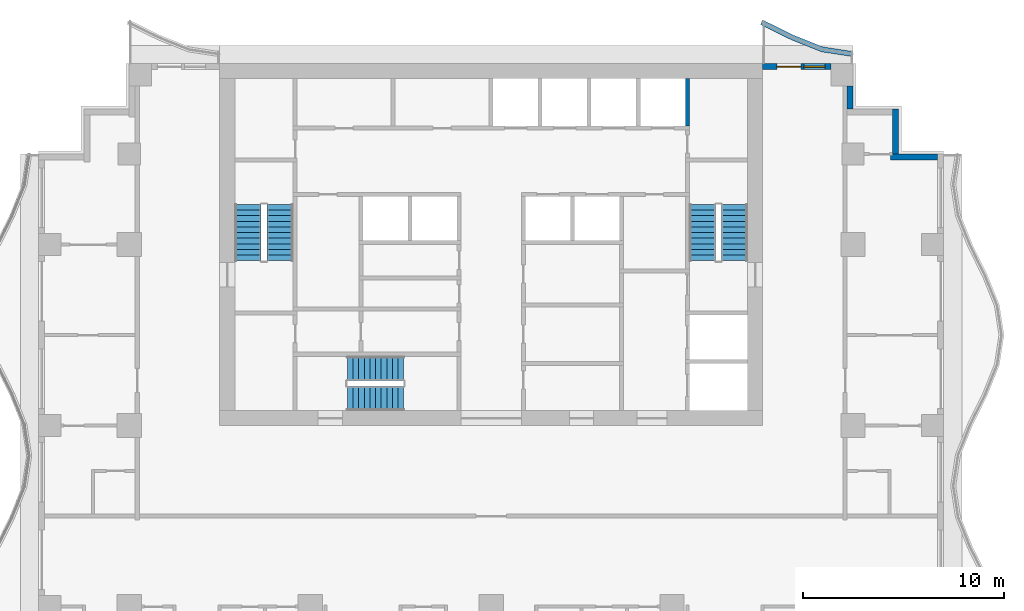
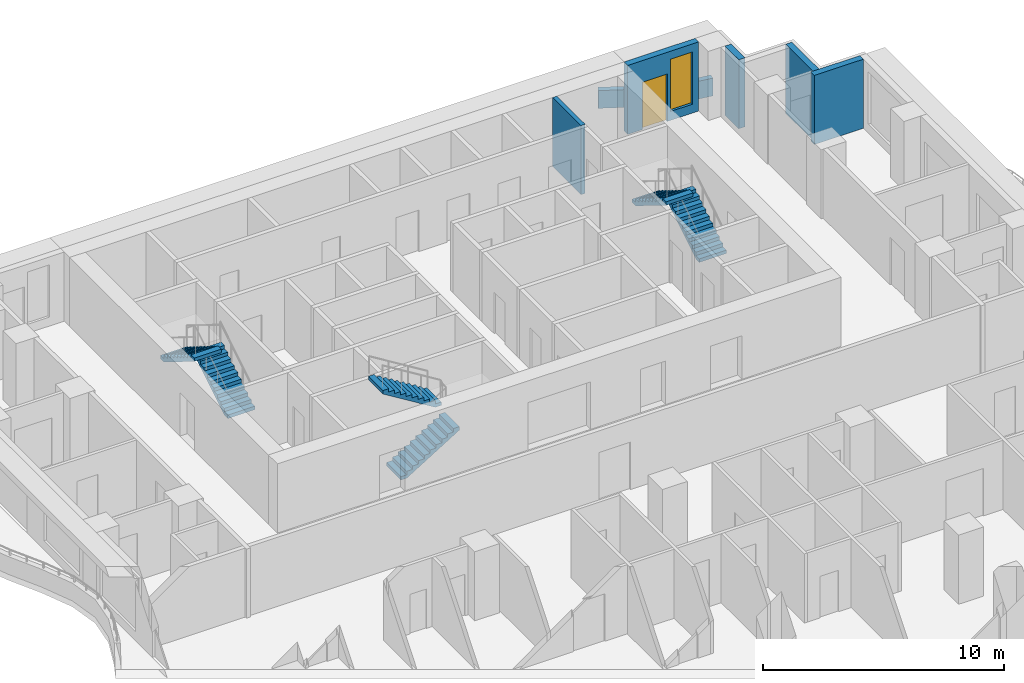
# One storey, part 6 of 10: 6 stair flights, 6 walls, 1 door, 1 window, 2 openings, 3 elements without a shape of their own.
"""IFC4 building model written with IfcOpenShell, lengths in metres."""

from ifc_helpers import new_model, si_unit, direction, frame, frame_2d, origin, place, context, subcontext, project, spatial, polyline, rectangle, outline, extrude, material, layer, layer_set, type_object, element, fill, aggregate, save


model = new_model("IFC4")

# Units and contexts
model_context = context("Model", 3, precision=1e-05, world=origin(), true_north=direction((0.0, 1.0)))
body_context = subcontext(model_context, "Body", "Model", "MODEL_VIEW")
ifc_project = project(units=[si_unit("LENGTHUNIT", "METRE"), si_unit("AREAUNIT", "SQUARE_METRE"), si_unit("VOLUMEUNIT", "CUBIC_METRE"), si_unit("PLANEANGLEUNIT", "RADIAN"), si_unit("MASSUNIT", "GRAM", prefix="KILO")], contexts=[model_context])

# Site, building, storey
site_placement = place(None, origin())
site = spatial("IfcSite", under=ifc_project, at=site_placement, CompositionType="ELEMENT")
building_placement = place(site_placement, origin())
building = spatial("IfcBuilding", under=site, at=building_placement, Name="Orbiselva Terraces", CompositionType="ELEMENT")
storey_placement = place(building_placement, frame((0.0, 0.0, 166.8)))
storey = spatial("IfcBuildingStorey", under=building, at=storey_placement, Name="L42", CompositionType="ELEMENT", Elevation=166.8)

# Walls
ifc_material_1 = material(Name="Concrete C40/50", Category="concrete")
ifc_layer_1 = layer(ifc_material_1, 0.2)
ifc_layer_set_1 = layer_set([ifc_layer_1], Name="Concrete C40/50")
wall_type_1 = type_object("IfcWallType", Name="CORE-WALL-SHAFT-200", PredefinedType="PARTITIONING", material=ifc_layer_set_1)
wall_1_placement = place(storey_placement, frame((9.75, 19.4, 0.0), z_axis=(0.0, 0.0, 1.0), x_axis=(0.0, 1.0, 0.0)))
element("IfcWall", 1, at=wall_1_placement, inside=storey, type_object=wall_type_1, Name="L42 core wall 54", PredefinedType="PARTITIONING", context=body_context, shape_type="SweptSolid", body=[
    extrude(rectangle(XDim=2.35, YDim=0.2, at=frame_2d((1.175, 0.0))), origin(), (0.0, 0.0, 1.0), 3.5),
])
ifc_layer_2 = layer(ifc_material_1, 0.25)
ifc_layer_set_2 = layer_set([ifc_layer_2], Name="Concrete C40/50")
wall_type_2 = type_object("IfcWallType", Name="ENV-PLANTER-250x900", PredefinedType="USERDEFINED", material=ifc_layer_set_2)
wall_2_placement = place(storey_placement, origin())
element("IfcWall", 2, at=wall_2_placement, inside=storey, type_object=wall_type_2, Name="Balcony planter L42 NE", ObjectType="PLANTER", PredefinedType="USERDEFINED", context=body_context, shape_type="SweptSolid", body=[
    extrude(outline(polyline([(18.0, 23.1), (16.5, 23.32918), (15.0, 23.92918), (13.5, 24.67082), (13.389197, 24.446716), (14.898017, 23.700715), (16.433834, 23.086388), (17.962242, 22.852868), (18.0, 23.1)])), origin(), (0.0, 0.0, 1.0), 0.9),
])
ifc_material_2 = material(Name="Terracotta cladding on masonry backing", Category="masonry")
ifc_layer_3 = layer(ifc_material_2, 0.3)
ifc_layer_set_3 = layer_set([ifc_layer_3], Name="Terracotta cladding on masonry backing")
wall_type_3 = type_object("IfcWallType", Name="ENV-WALL-TERRACOTTA-300", PredefinedType="SOLIDWALL", material=ifc_layer_set_3)
wall_3_placement = place(storey_placement, frame((19.85, 17.85, 0.0), z_axis=(0.0, 0.0, 1.0), x_axis=(1.0, 0.0, 0.0)))
element("IfcWall", 3, at=wall_3_placement, inside=storey, type_object=wall_type_3, Name="Facade wall L42 STEP", PredefinedType="SOLIDWALL", context=body_context, shape_type="SweptSolid", body=[
    extrude(rectangle(XDim=2.35, YDim=0.3, at=frame_2d((1.175, 0.0))), origin(), (0.0, 0.0, 1.0), 3.5),
])
wall_4_placement = place(storey_placement, frame((20.1, 20.25, 0.0), z_axis=(0.0, 0.0, 1.0), x_axis=(0.0, -1.0, 0.0)))
element("IfcWall", 4, at=wall_4_placement, inside=storey, type_object=wall_type_3, Name="Facade wall L42 STEP", PredefinedType="SOLIDWALL", context=body_context, shape_type="SweptSolid", body=[
    extrude(rectangle(XDim=2.25, YDim=0.3, at=frame_2d((1.125, 0.0))), origin(), (0.0, 0.0, 1.0), 3.5),
])
wall_5_placement = place(storey_placement, frame((17.85, 21.4, 0.0), z_axis=(0.0, 0.0, 1.0), x_axis=(0.0, -1.0, 0.0)))
element("IfcWall", 5, at=wall_5_placement, inside=storey, type_object=wall_type_3, Name="Facade wall L42 STEP", PredefinedType="SOLIDWALL", context=body_context, shape_type="SweptSolid", body=[
    extrude(rectangle(XDim=1.15, YDim=0.3, at=frame_2d((0.575, 0.0))), origin(), (0.0, 0.0, 1.0), 3.5),
])

# Wall, openings, door, window
wall_6_placement = place(storey_placement, frame((13.5, 22.35, 0.0), z_axis=(0.0, 0.0, 1.0), x_axis=(1.0, 0.0, 0.0)))
wall_6 = element("IfcWall", 6, at=wall_6_placement, inside=storey, type_object=wall_type_3, Name="Facade wall L42 NE", PredefinedType="SOLIDWALL", context=body_context, shape_type="SweptSolid", body=[
    extrude(rectangle(XDim=3.4, YDim=0.3, at=frame_2d((1.7, 0.0))), origin(), (0.0, 0.0, 1.0), 3.5),
])
opening_1_placement = place(wall_6_placement, frame((2.05, 0.0, 0.45)))
opening_1 = element("IfcOpeningElement", 7, at=opening_1_placement, cuts=wall_6, Name="Opening WN13", PredefinedType="OPENING", context=body_context, shape_type="SweptSolid", body=[
    extrude(rectangle(XDim=1.05, YDim=2.65, at=frame_2d((0.525, 1.325))), frame((0.0, 0.16, 0.0), z_axis=(0.0, -1.0, 0.0), x_axis=(1.0, 0.0, 0.0)), (0.0, 0.0, 1.0), 0.32),
])
opening_2_placement = place(wall_6_placement, frame((0.7, 0.0, 0.0)))
opening_2 = element("IfcOpeningElement", 8, at=opening_2_placement, cuts=wall_6, Name="Opening Z3-E-E07", PredefinedType="OPENING", context=body_context, shape_type="SweptSolid", body=[
    extrude(rectangle(XDim=1.2, YDim=2.4, at=frame_2d((0.6, 1.2))), frame((0.0, 0.16, 0.0), z_axis=(0.0, -1.0, 0.0), x_axis=(1.0, 0.0, 0.0)), (0.0, 0.0, 1.0), 0.32),
])
ifc_material_3 = material(Name="Clear low-e glazing in aluminium frame", Category="aluminium")
door_type = type_object("IfcDoorType", Name="BALCONY DOOR 1200 X 2400", OperationType="DOUBLE_DOOR_SLIDING", PredefinedType="DOOR", material=ifc_material_3)
door_placement = place(opening_2_placement, origin())
door = element("IfcDoor", 9, at=door_placement, inside=storey, type_object=door_type, Name="Z3-E-E07", OperationType="SINGLE_SWING_LEFT", OverallHeight=2.4, OverallWidth=1.2, PredefinedType="DOOR", context=body_context, shape_type="SweptSolid", body=[
    extrude(rectangle(XDim=1.2, YDim=2.4, at=frame_2d((0.6, 1.2))), frame((0.0, 0.025, 0.0), z_axis=(0.0, -1.0, 0.0), x_axis=(1.0, 0.0, 0.0)), (0.0, 0.0, 1.0), 0.05),
])
fill(opening_2, door)
window_type = type_object("IfcWindowType", Name="WINDOW 1050 X 2650 S450", PartitioningType="TRIPLE_PANEL_VERTICAL", PredefinedType="WINDOW", material=ifc_material_3)
window_placement = place(opening_1_placement, origin())
window = element("IfcWindow", 10, at=window_placement, inside=storey, type_object=window_type, Name="Window L42 NE", OverallHeight=2.65, OverallWidth=1.05, PartitioningType="SINGLE_PANEL", PredefinedType="WINDOW", context=body_context, shape_type="SweptSolid", body=[
    extrude(rectangle(XDim=1.05, YDim=2.65, at=frame_2d((0.525, 1.325))), frame((0.0, 0.03, 0.0), z_axis=(0.0, -1.0, 0.0), x_axis=(1.0, 0.0, 0.0)), (0.0, 0.0, 1.0), 0.06),
])
fill(opening_1, window)

# Stair, stair flights
stair_type_1 = type_object("IfcStairType", Name="CORE-STAIR-1200", PredefinedType="HALF_TURN_STAIR", material=ifc_material_1)
stair_1_placement = place(storey_placement, origin())
stair_1 = element("IfcStair", 11, at=stair_1_placement, inside=storey, type_object=stair_type_1, Name="L42 Exit Stair S3", PredefinedType="HALF_TURN_STAIR")
stair_flight_type_1 = type_object("IfcStairFlightType", Name="CORE-STAIR-FLIGHT-1200", PredefinedType="STRAIGHT", material=ifc_material_1)
stair_flight_1_placement = place(storey_placement, frame((-7.15, 5.85, 0.0), z_axis=(0.0, 0.0, 1.0), x_axis=(1.0, 0.0, 0.0)))
stair_flight_1 = element("IfcStairFlight", 12, at=stair_flight_1_placement, type_object=stair_flight_type_1, Name="S3 flight 1", NumberOfRisers=11, NumberOfTreads=10, PredefinedType="STRAIGHT", RiserHeight=0.172727273, TreadLength=0.28, context=body_context, shape_type="SweptSolid", body=[
    extrude(outline(polyline([(0.0, 0.0), (0.0, 0.172727), (0.28, 0.172727), (0.28, 0.345455), (0.56, 0.345455), (0.56, 0.518182), (0.84, 0.518182), (0.84, 0.690909), (1.12, 0.690909), (1.12, 0.863636), (1.4, 0.863636), (1.4, 1.036364), (1.68, 1.036364), (1.68, 1.209091), (1.96, 1.209091), (1.96, 1.381818), (2.24, 1.381818), (2.24, 1.554545), (2.52, 1.554545), (2.52, 1.727273), (2.8, 1.727273), (2.8, 1.9), (2.8, 1.551028), (0.285702, 0.0), (0.0, 0.0)])), frame((0.0, 0.6, 0.0), z_axis=(0.0, -1.0, 0.0), x_axis=(1.0, 0.0, 0.0)), (0.0, 0.0, 1.0), 1.2),
])
stair_flight_2_placement = place(storey_placement, frame((-4.35, 7.35, 1.9), z_axis=(0.0, 0.0, 1.0), x_axis=(-1.0, 0.0, 0.0)))
stair_flight_2 = element("IfcStairFlight", 13, at=stair_flight_2_placement, type_object=stair_flight_type_1, Name="S3 flight 2", NumberOfRisers=11, NumberOfTreads=10, PredefinedType="STRAIGHT", RiserHeight=0.172727273, TreadLength=0.28, context=body_context, shape_type="SweptSolid", body=[
    extrude(outline(polyline([(0.0, 0.0), (0.0, 0.172727), (0.28, 0.172727), (0.28, 0.345455), (0.56, 0.345455), (0.56, 0.518182), (0.84, 0.518182), (0.84, 0.690909), (1.12, 0.690909), (1.12, 0.863636), (1.4, 0.863636), (1.4, 1.036364), (1.68, 1.036364), (1.68, 1.209091), (1.96, 1.209091), (1.96, 1.381818), (2.24, 1.381818), (2.24, 1.554545), (2.52, 1.554545), (2.52, 1.727273), (2.8, 1.727273), (2.8, 1.9), (2.8, 1.551028), (0.285702, 0.0), (0.0, 0.0)])), frame((0.0, 0.6, 0.0), z_axis=(0.0, -1.0, 0.0), x_axis=(1.0, 0.0, 0.0)), (0.0, 0.0, 1.0), 1.2),
])
aggregate(stair_1, [stair_flight_1, stair_flight_2])

stair_type_2 = type_object("IfcStairType", Name="CORE-STAIR-1300", PredefinedType="HALF_TURN_STAIR", material=ifc_material_1)
stair_2_placement = place(storey_placement, origin())
stair_2 = element("IfcStair", 14, at=stair_2_placement, inside=storey, type_object=stair_type_2, Name="L42 Exit Stair S1", PredefinedType="HALF_TURN_STAIR")
stair_flight_type_2 = type_object("IfcStairFlightType", Name="CORE-STAIR-FLIGHT-1300", PredefinedType="STRAIGHT", material=ifc_material_1)
stair_flight_3_placement = place(storey_placement, frame((-10.5, 12.7, 0.0), z_axis=(0.0, 0.0, 1.0), x_axis=(0.0, 1.0, 0.0)))
stair_flight_3 = element("IfcStairFlight", 15, at=stair_flight_3_placement, type_object=stair_flight_type_2, Name="S1 flight 1", NumberOfRisers=11, NumberOfTreads=10, PredefinedType="STRAIGHT", RiserHeight=0.172727273, TreadLength=0.28, context=body_context, shape_type="SweptSolid", body=[
    extrude(outline(polyline([(0.0, 0.0), (0.0, 0.172727), (0.28, 0.172727), (0.28, 0.345455), (0.56, 0.345455), (0.56, 0.518182), (0.84, 0.518182), (0.84, 0.690909), (1.12, 0.690909), (1.12, 0.863636), (1.4, 0.863636), (1.4, 1.036364), (1.68, 1.036364), (1.68, 1.209091), (1.96, 1.209091), (1.96, 1.381818), (2.24, 1.381818), (2.24, 1.554545), (2.52, 1.554545), (2.52, 1.727273), (2.8, 1.727273), (2.8, 1.9), (2.8, 1.551028), (0.285702, 0.0), (0.0, 0.0)])), frame((0.0, 0.65, 0.0), z_axis=(0.0, -1.0, 0.0), x_axis=(1.0, 0.0, 0.0)), (0.0, 0.0, 1.0), 1.3),
])
stair_flight_4_placement = place(storey_placement, frame((-12.1, 15.5, 1.9), z_axis=(0.0, 0.0, 1.0), x_axis=(0.0, -1.0, 0.0)))
stair_flight_4 = element("IfcStairFlight", 16, at=stair_flight_4_placement, type_object=stair_flight_type_2, Name="S1 flight 2", NumberOfRisers=11, NumberOfTreads=10, PredefinedType="STRAIGHT", RiserHeight=0.172727273, TreadLength=0.28, context=body_context, shape_type="SweptSolid", body=[
    extrude(outline(polyline([(0.0, 0.0), (0.0, 0.172727), (0.28, 0.172727), (0.28, 0.345455), (0.56, 0.345455), (0.56, 0.518182), (0.84, 0.518182), (0.84, 0.690909), (1.12, 0.690909), (1.12, 0.863636), (1.4, 0.863636), (1.4, 1.036364), (1.68, 1.036364), (1.68, 1.209091), (1.96, 1.209091), (1.96, 1.381818), (2.24, 1.381818), (2.24, 1.554545), (2.52, 1.554545), (2.52, 1.727273), (2.8, 1.727273), (2.8, 1.9), (2.8, 1.551028), (0.285702, 0.0), (0.0, 0.0)])), frame((0.0, 0.65, 0.0), z_axis=(0.0, -1.0, 0.0), x_axis=(1.0, 0.0, 0.0)), (0.0, 0.0, 1.0), 1.3),
])
aggregate(stair_2, [stair_flight_3, stair_flight_4])

stair_3_placement = place(storey_placement, origin())
stair_3 = element("IfcStair", 17, at=stair_3_placement, inside=storey, type_object=stair_type_2, Name="L42 Exit Stair S2", PredefinedType="HALF_TURN_STAIR")
stair_flight_5_placement = place(storey_placement, frame((12.1, 12.7, 0.0), z_axis=(0.0, 0.0, 1.0), x_axis=(0.0, 1.0, 0.0)))
stair_flight_5 = element("IfcStairFlight", 18, at=stair_flight_5_placement, type_object=stair_flight_type_2, Name="S2 flight 1", NumberOfRisers=11, NumberOfTreads=10, PredefinedType="STRAIGHT", RiserHeight=0.172727273, TreadLength=0.28, context=body_context, shape_type="SweptSolid", body=[
    extrude(outline(polyline([(0.0, 0.0), (0.0, 0.172727), (0.28, 0.172727), (0.28, 0.345455), (0.56, 0.345455), (0.56, 0.518182), (0.84, 0.518182), (0.84, 0.690909), (1.12, 0.690909), (1.12, 0.863636), (1.4, 0.863636), (1.4, 1.036364), (1.68, 1.036364), (1.68, 1.209091), (1.96, 1.209091), (1.96, 1.381818), (2.24, 1.381818), (2.24, 1.554545), (2.52, 1.554545), (2.52, 1.727273), (2.8, 1.727273), (2.8, 1.9), (2.8, 1.551028), (0.285702, 0.0), (0.0, 0.0)])), frame((0.0, 0.65, 0.0), z_axis=(0.0, -1.0, 0.0), x_axis=(1.0, 0.0, 0.0)), (0.0, 0.0, 1.0), 1.3),
])
stair_flight_6_placement = place(storey_placement, frame((10.5, 15.5, 1.9), z_axis=(0.0, 0.0, 1.0), x_axis=(0.0, -1.0, 0.0)))
stair_flight_6 = element("IfcStairFlight", 19, at=stair_flight_6_placement, type_object=stair_flight_type_2, Name="S2 flight 2", NumberOfRisers=11, NumberOfTreads=10, PredefinedType="STRAIGHT", RiserHeight=0.172727273, TreadLength=0.28, context=body_context, shape_type="SweptSolid", body=[
    extrude(outline(polyline([(0.0, 0.0), (0.0, 0.172727), (0.28, 0.172727), (0.28, 0.345455), (0.56, 0.345455), (0.56, 0.518182), (0.84, 0.518182), (0.84, 0.690909), (1.12, 0.690909), (1.12, 0.863636), (1.4, 0.863636), (1.4, 1.036364), (1.68, 1.036364), (1.68, 1.209091), (1.96, 1.209091), (1.96, 1.381818), (2.24, 1.381818), (2.24, 1.554545), (2.52, 1.554545), (2.52, 1.727273), (2.8, 1.727273), (2.8, 1.9), (2.8, 1.551028), (0.285702, 0.0), (0.0, 0.0)])), frame((0.0, 0.65, 0.0), z_axis=(0.0, -1.0, 0.0), x_axis=(1.0, 0.0, 0.0)), (0.0, 0.0, 1.0), 1.3),
])
aggregate(stair_3, [stair_flight_5, stair_flight_6])

save(model, "model.ifc")
